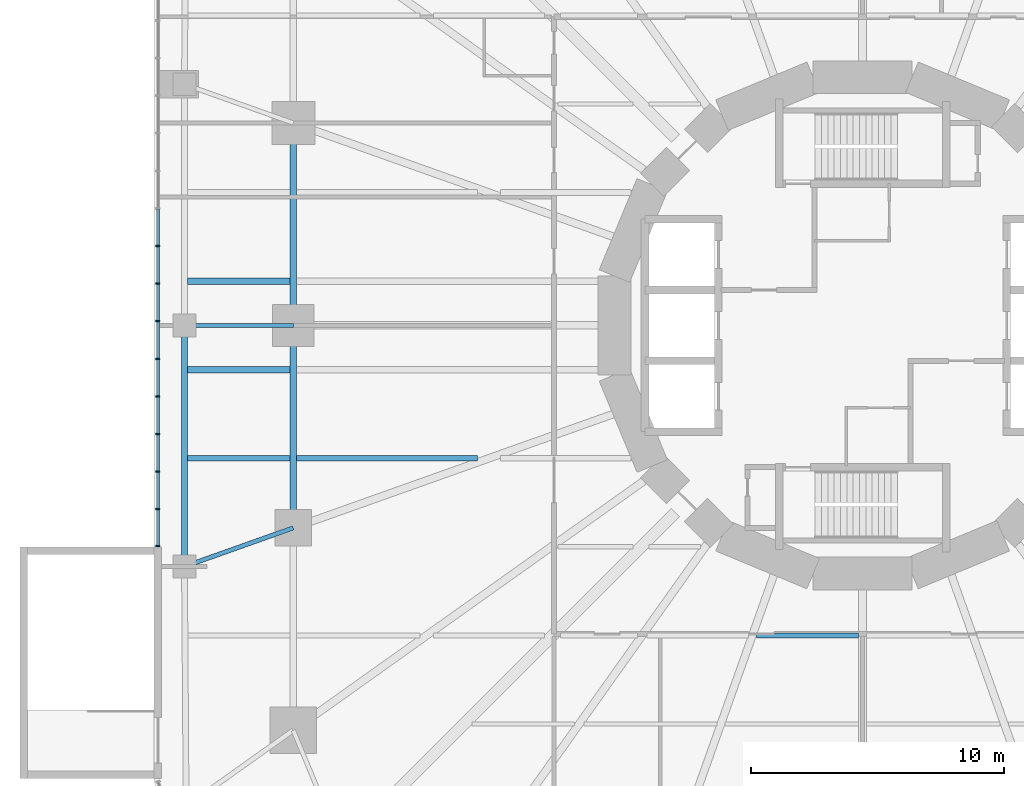
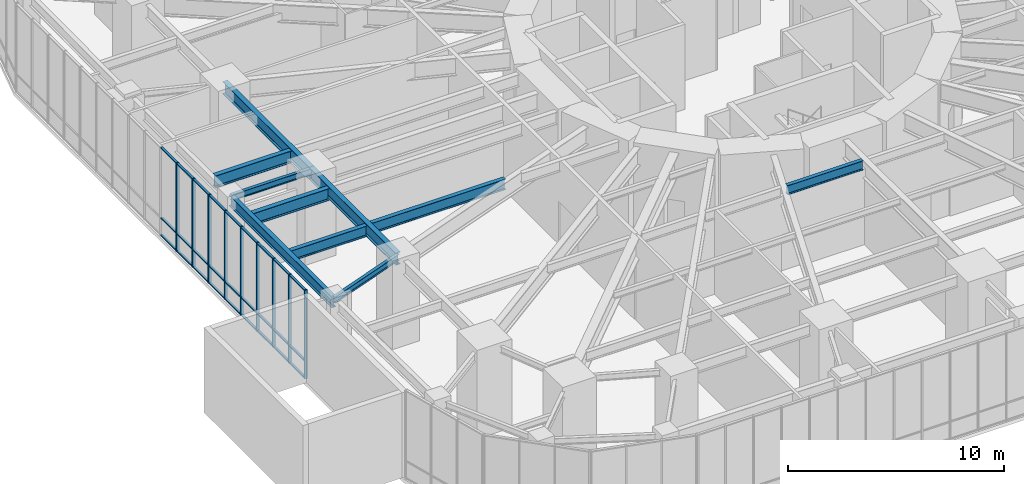
# One storey, part 4 of 24: 36 members, 10 beams, 1 element without a shape of its own.
"""IFC4 building model written with IfcOpenShell, lengths in metres."""

from ifc_helpers import new_model, si_unit, direction, frame, origin, origin_2d, place, context, subcontext, project, spatial, rectangle, i_section, extrude, material, material_profile, profile_set, type_object, element, aggregate, save


model = new_model("IFC4")

# Units and contexts
model_context = context("Model", 3, precision=1e-05, world=origin(), true_north=direction((0.0, 1.0)))
body_context = subcontext(model_context, "Body", "Model", "MODEL_VIEW")
ifc_project = project(units=[si_unit("LENGTHUNIT", "METRE"), si_unit("AREAUNIT", "SQUARE_METRE"), si_unit("VOLUMEUNIT", "CUBIC_METRE"), si_unit("PLANEANGLEUNIT", "RADIAN"), si_unit("MASSUNIT", "GRAM", prefix="KILO")], contexts=[model_context])

# Site, building, storey
site_placement = place(None, origin())
site = spatial("IfcSite", under=ifc_project, at=site_placement, CompositionType="ELEMENT")
building_placement = place(site_placement, origin())
building = spatial("IfcBuilding", under=site, at=building_placement, Name="Nakasero Lantern House", CompositionType="ELEMENT")
storey_placement = place(building_placement, frame((0.0, 0.0, 11.0)))
storey = spatial("IfcBuildingStorey", under=building, at=storey_placement, Name="L02", CompositionType="ELEMENT", Elevation=11.0)

# Beams
ifc_material_1 = material(Name="Steel S355", Category="steel")
ifc_material_profile_1 = material_profile(ifc_material_1, i_section(OverallWidth=0.208740234375, OverallDepth=0.5283203125, WebThickness=0.009521484375, FlangeThickness=0.01318359375, FilletRadius=0.0126953125, at=origin_2d()), Name="UB 533x210x82")
ifc_profile_set_1 = profile_set([ifc_material_profile_1], Name="Steel S355")
beam_type_1 = type_object("IfcBeamType", Name="Infill beam UB 533x210x82", PredefinedType="JOIST", material=ifc_profile_set_1)
beam_1_placement = place(storey_placement, frame((-4.1953125, -12.25, 4.535888671875), z_axis=(1.0, 0.0, 0.0), x_axis=(0.0, 1.0, 0.0)))
element("IfcBeam", 1, at=beam_1_placement, inside=storey, type_object=beam_type_1, Name="Infill beam L03 05.6", PredefinedType="JOIST", context=body_context, shape_type="SweptSolid", body=[
    extrude(i_section(OverallWidth=0.208740234375, OverallDepth=0.5283203125, WebThickness=0.009521484375, FlangeThickness=0.01318359375, FilletRadius=0.0126953125, at=origin_2d()), origin(), (0.0, 0.0, 1.0), 4.042724609375),
])
ifc_material_2 = material(Name="Steel S355", Category="steel")
ifc_material_profile_2 = material_profile(ifc_material_2, i_section(OverallWidth=0.2275390625, OverallDepth=0.6025390625, WebThickness=0.010498046875, FlangeThickness=0.014892578125, FilletRadius=0.0126953125, at=origin_2d()), Name="UB 610x229x101")
ifc_profile_set_2 = profile_set([ifc_material_profile_2], Name="Steel S355")
beam_type_2 = type_object("IfcBeamType", Name="Infill beam UB 610x229x101", PredefinedType="JOIST", material=ifc_profile_set_2)
beam_2_placement = place(storey_placement, frame((-26.685546875, -5.25, 4.44873046875), z_axis=(1.0, 0.0, 0.0), x_axis=(0.0, 1.0, 0.0)))
element("IfcBeam", 2, at=beam_2_placement, inside=storey, type_object=beam_type_2, Name="Infill beam L03 07.1", PredefinedType="JOIST", context=body_context, shape_type="SweptSolid", body=[
    extrude(i_section(OverallWidth=0.2275390625, OverallDepth=0.6025390625, WebThickness=0.010498046875, FlangeThickness=0.014892578125, FilletRadius=0.0126953125, at=origin_2d()), origin(), (0.0, 0.0, 1.0), 4.0576171875),
])
beam_3_placement = place(storey_placement, frame((-22.3720703125, -5.25, 4.498779296875), z_axis=(1.0, 0.0, 0.0), x_axis=(0.0, 1.0, 0.0)))
element("IfcBeam", 3, at=beam_3_placement, inside=storey, type_object=beam_type_2, Name="Infill beam L03 07.2", PredefinedType="JOIST", context=body_context, shape_type="SweptSolid", body=[
    extrude(i_section(OverallWidth=0.2275390625, OverallDepth=0.6025390625, WebThickness=0.010498046875, FlangeThickness=0.014892578125, FilletRadius=0.0126953125, at=origin_2d()), origin(), (0.0, 0.0, 1.0), 7.15869140625),
])
ifc_material_3 = material(Name="Steel S355", Category="steel")
ifc_material_profile_3 = material_profile(ifc_material_3, i_section(OverallWidth=0.253662109375, OverallDepth=0.68359375, WebThickness=0.012451171875, FlangeThickness=0.01904296875, FilletRadius=0.01513671875, at=origin_2d()), Name="UB 686x254x140")
ifc_profile_set_3 = profile_set([ifc_material_profile_3], Name="Steel S355")
beam_type_3 = type_object("IfcBeamType", Name="Infill beam UB 686x254x140", PredefinedType="JOIST", material=ifc_profile_set_3)
for number, where, z_axis, x_axis, name in (
    (4, (-26.685546875, -1.75, 4.408203125), (1.0, 0.0, 0.0), (0.0, 1.0, 0.0), "Infill beam L03 08.1"),
    (5, (-26.685546875, 1.75, 4.408203125), (1.0, 0.0, 0.0), (0.0, 1.0, 0.0), "Infill beam L03 09.1"),
):
    element("IfcBeam", number, at=place(storey_placement, frame(where, z_axis=z_axis, x_axis=x_axis)), inside=storey, type_object=beam_type_3, Name=name, PredefinedType="JOIST", context=body_context, shape_type="SweptSolid", body=[
        extrude(i_section(OverallWidth=0.253662109375, OverallDepth=0.68359375, WebThickness=0.012451171875, FlangeThickness=0.01904296875, FilletRadius=0.01513671875, at=origin_2d()), origin(), (0.0, 0.0, 1.0), 4.0576171875),
    ])

# Curtain wall, members
ifc_material_4 = material(Name="Aluminium 6063-T6 and glass", Category="aluminium")
curtain_wall_type = type_object("IfcCurtainWallType", Name="Podium curtain wall CW-2", PredefinedType="USERDEFINED", material=ifc_material_4)
curtain_wall_placement = place(storey_placement, origin())
curtain_wall = element("IfcCurtainWall", 6, at=curtain_wall_placement, inside=storey, type_object=curtain_wall_type, Name="Curtain wall CW-2 L02", ObjectType="STICK CURTAIN WALL", PredefinedType="USERDEFINED")
ifc_material_5 = material(Name="Aluminium 6063-T6", Category="aluminium")
ifc_material_profile_4 = material_profile(ifc_material_5, rectangle(XDim=0.06005859375, YDim=0.159912109375, at=origin_2d()), Name="CW-2 mullion 60x160")
ifc_profile_set_4 = profile_set([ifc_material_profile_4], Name="Aluminium 6063-T6")
member_type_1 = type_object("IfcMemberType", Name="Mullion CW-2", PredefinedType="MULLION", material=ifc_profile_set_4)
member_1_placement = place(storey_placement, frame((-27.85009765625, 3.138916015625, 0.0), z_axis=(0.0, 0.0, 1.0), x_axis=(0.0, -1.0, 0.0)))
member_1 = element("IfcMember", 7, at=member_1_placement, type_object=member_type_1, Name="CW-2 mullion 11", PredefinedType="MULLION", context=body_context, shape_type="SweptSolid", body=[
    extrude(rectangle(XDim=0.06005859375, YDim=0.159912109375, at=origin_2d()), origin(), (0.0, 0.0, 1.0), 5.0),
])
member_2_placement = place(storey_placement, frame((-27.85009765625, 1.65283203125, 0.0), z_axis=(0.0, 0.0, 1.0), x_axis=(0.0, -1.0, 0.0)))
member_2 = element("IfcMember", 8, at=member_2_placement, type_object=member_type_1, Name="CW-2 mullion 12", PredefinedType="MULLION", context=body_context, shape_type="SweptSolid", body=[
    extrude(rectangle(XDim=0.06005859375, YDim=0.159912109375, at=origin_2d()), origin(), (0.0, 0.0, 1.0), 5.0),
])
member_3_placement = place(storey_placement, frame((-27.85009765625, 0.166748046875, 0.0), z_axis=(0.0, 0.0, 1.0), x_axis=(0.0, -1.0, 0.0)))
member_3 = element("IfcMember", 9, at=member_3_placement, type_object=member_type_1, Name="CW-2 mullion 13", PredefinedType="MULLION", context=body_context, shape_type="SweptSolid", body=[
    extrude(rectangle(XDim=0.06005859375, YDim=0.159912109375, at=origin_2d()), origin(), (0.0, 0.0, 1.0), 5.0),
])
member_4_placement = place(storey_placement, frame((-27.85009765625, -1.3193359375, 0.0), z_axis=(0.0, 0.0, 1.0), x_axis=(0.0, -1.0, 0.0)))
member_4 = element("IfcMember", 10, at=member_4_placement, type_object=member_type_1, Name="CW-2 mullion 14", PredefinedType="MULLION", context=body_context, shape_type="SweptSolid", body=[
    extrude(rectangle(XDim=0.06005859375, YDim=0.159912109375, at=origin_2d()), origin(), (0.0, 0.0, 1.0), 5.0),
])
member_5_placement = place(storey_placement, frame((-27.85009765625, -2.8056640625, 0.0), z_axis=(0.0, 0.0, 1.0), x_axis=(0.0, -1.0, 0.0)))
member_5 = element("IfcMember", 11, at=member_5_placement, type_object=member_type_1, Name="CW-2 mullion 15", PredefinedType="MULLION", context=body_context, shape_type="SweptSolid", body=[
    extrude(rectangle(XDim=0.06005859375, YDim=0.159912109375, at=origin_2d()), origin(), (0.0, 0.0, 1.0), 5.0),
])
member_6_placement = place(storey_placement, frame((-27.85009765625, -4.291748046875, 0.0), z_axis=(0.0, 0.0, 1.0), x_axis=(0.0, -1.0, 0.0)))
member_6 = element("IfcMember", 12, at=member_6_placement, type_object=member_type_1, Name="CW-2 mullion 16", PredefinedType="MULLION", context=body_context, shape_type="SweptSolid", body=[
    extrude(rectangle(XDim=0.06005859375, YDim=0.159912109375, at=origin_2d()), origin(), (0.0, 0.0, 1.0), 5.0),
])
member_7_placement = place(storey_placement, frame((-27.85009765625, -5.77783203125, 0.0), z_axis=(0.0, 0.0, 1.0), x_axis=(0.0, -1.0, 0.0)))
member_7 = element("IfcMember", 13, at=member_7_placement, type_object=member_type_1, Name="CW-2 mullion 17", PredefinedType="MULLION", context=body_context, shape_type="SweptSolid", body=[
    extrude(rectangle(XDim=0.06005859375, YDim=0.159912109375, at=origin_2d()), origin(), (0.0, 0.0, 1.0), 5.0),
])
member_8_placement = place(storey_placement, frame((-27.85009765625, -7.263916015625, 0.0), z_axis=(0.0, 0.0, 1.0), x_axis=(0.0, -1.0, 0.0)))
member_8 = element("IfcMember", 14, at=member_8_placement, type_object=member_type_1, Name="CW-2 mullion 18", PredefinedType="MULLION", context=body_context, shape_type="SweptSolid", body=[
    extrude(rectangle(XDim=0.06005859375, YDim=0.159912109375, at=origin_2d()), origin(), (0.0, 0.0, 1.0), 5.0),
])
member_9_placement = place(storey_placement, frame((-27.85009765625, -8.719970703125, 0.0), z_axis=(0.0, 0.0, 1.0), x_axis=(0.0, -1.0, 0.0)))
member_9 = element("IfcMember", 15, at=member_9_placement, type_object=member_type_1, Name="CW-2 mullion 19", PredefinedType="MULLION", context=body_context, shape_type="SweptSolid", body=[
    extrude(rectangle(XDim=0.06005859375, YDim=0.159912109375, at=origin_2d()), origin(), (0.0, 0.0, 1.0), 5.0),
])

# Beams
ifc_material_6 = material(Name="Steel S355", Category="steel")
ifc_material_profile_5 = material_profile(ifc_material_6, i_section(OverallWidth=0.17138671875, OverallDepth=0.35498046875, WebThickness=0.00732421875, FlangeThickness=0.011474609375, FilletRadius=0.01025390625, at=origin_2d()), Name="UB 356x171x51")
ifc_profile_set_5 = profile_set([ifc_material_profile_5], Name="Steel S355")
beam_type_4 = type_object("IfcBeamType", Name="Primary beam UB 356x171x51, span to 6 m", PredefinedType="BEAM", material=ifc_profile_set_5)
beam_4_placement = place(storey_placement, frame((-26.800048828125, 0.0, 4.572509765625), z_axis=(1.0, 0.0, 0.0), x_axis=(0.0, 1.0, 0.0)))
element("IfcBeam", 16, at=beam_4_placement, inside=storey, type_object=beam_type_4, Name="Primary beam L03 POD-C15", PredefinedType="BEAM", context=body_context, shape_type="SweptSolid", body=[
    extrude(i_section(OverallWidth=0.17138671875, OverallDepth=0.35498046875, WebThickness=0.00732421875, FlangeThickness=0.011474609375, FilletRadius=0.01025390625, at=origin_2d()), origin(), (0.0, 0.0, 1.0), 4.300048828125),
])
beam_5_placement = place(storey_placement, frame((-26.800048828125, -9.52880859375, 4.572509765625), z_axis=(0.942221444489, 0.334990670833, 0.0), x_axis=(-0.334990670833, 0.942221444489, 0.0)))
element("IfcBeam", 17, at=beam_5_placement, inside=storey, type_object=beam_type_4, Name="Primary beam L03 POD-C16", PredefinedType="BEAM", context=body_context, shape_type="SweptSolid", body=[
    extrude(i_section(OverallWidth=0.17138671875, OverallDepth=0.35498046875, WebThickness=0.00732421875, FlangeThickness=0.011474609375, FilletRadius=0.01025390625, at=origin_2d()), origin(), (0.0, 0.0, 1.0), 4.563720703125),
])
ifc_material_7 = material(Name="Steel S355", Category="steel")
ifc_material_profile_6 = material_profile(ifc_material_7, i_section(OverallWidth=0.22900390625, OverallDepth=0.6123046875, WebThickness=0.011962890625, FlangeThickness=0.01953125, FilletRadius=0.0126953125, at=origin_2d()), Name="UB 610x229x125")
ifc_profile_set_6 = profile_set([ifc_material_profile_6], Name="Steel S355")
beam_type_5 = type_object("IfcBeamType", Name="Ring beam UB 610x229x125", PredefinedType="BEAM", material=ifc_profile_set_6)
beam_6_placement = place(storey_placement, frame((-26.800048828125, 0.0, 4.44384765625), z_axis=(0.0, -1.0, 0.0), x_axis=(1.0, 0.0, 0.0)))
element("IfcBeam", 18, at=beam_6_placement, inside=storey, type_object=beam_type_5, Name="Ring beam L03 POD-C15", PredefinedType="BEAM", context=body_context, shape_type="SweptSolid", body=[
    extrude(i_section(OverallWidth=0.22900390625, OverallDepth=0.6123046875, WebThickness=0.011962890625, FlangeThickness=0.01953125, FilletRadius=0.0126953125, at=origin_2d()), origin(), (0.0, 0.0, 1.0), 9.52880859375),
])
ifc_material_8 = material(Name="Steel S355", Category="steel")
ifc_material_profile_7 = material_profile(ifc_material_8, i_section(OverallWidth=0.255859375, OverallDepth=0.69287109375, WebThickness=0.014404296875, FlangeThickness=0.023681640625, FilletRadius=0.01513671875, at=origin_2d()), Name="UB 686x254x170")
ifc_profile_set_7 = profile_set([ifc_material_profile_7], Name="Steel S355")
beam_type_6 = type_object("IfcBeamType", Name="Ring beam UB 686x254x170", PredefinedType="BEAM", material=ifc_profile_set_7)
for number, where, z_axis, x_axis, name in (
    (19, (-22.5, 8.0, 4.45361328125), (0.0, -1.0, 0.0), (1.0, 0.0, 0.0), "Ring beam L03 B1-C14"),
    (20, (-22.5, 0.0, 4.45361328125), (0.0, -1.0, 0.0), (1.0, 0.0, 0.0), "Ring beam L03 B1-C15"),
):
    element("IfcBeam", number, at=place(storey_placement, frame(where, z_axis=z_axis, x_axis=x_axis)), inside=storey, type_object=beam_type_6, Name=name, PredefinedType="BEAM", context=body_context, shape_type="SweptSolid", body=[
        extrude(i_section(OverallWidth=0.255859375, OverallDepth=0.69287109375, WebThickness=0.014404296875, FlangeThickness=0.023681640625, FilletRadius=0.01513671875, at=origin_2d()), origin(), (0.0, 0.0, 1.0), 8.0),
    ])

# Member
ifc_material_9 = material(Name="Aluminium 6063-T6", Category="aluminium")
ifc_material_profile_8 = material_profile(ifc_material_9, rectangle(XDim=0.06005859375, YDim=0.1201171875, at=origin_2d()), Name="CW-2 transom 60x120")
ifc_profile_set_8 = profile_set([ifc_material_profile_8], Name="Aluminium 6063-T6")
member_type_2 = type_object("IfcMemberType", Name="Transom CW-2", PredefinedType="USERDEFINED", material=ifc_profile_set_8)
member_10_placement = place(storey_placement, frame((-27.85009765625, 4.594970703125, 0.030029296875), z_axis=(0.0, -1.0, 0.0), x_axis=(0.0, 0.0, 1.0)))
member_10 = element("IfcMember", 21, at=member_10_placement, type_object=member_type_2, Name="CW-2 transom 10.1", ObjectType="TRANSOM", PredefinedType="USERDEFINED", context=body_context, shape_type="SweptSolid", body=[
    extrude(rectangle(XDim=0.06005859375, YDim=0.1201171875, at=origin_2d()), origin(), (0.0, 0.0, 1.0), 1.426025390625),
])

member_11_placement = place(storey_placement, frame((-27.85009765625, 4.594970703125, 1.0), z_axis=(0.0, -1.0, 0.0), x_axis=(0.0, 0.0, 1.0)))
member_11 = element("IfcMember", 22, at=member_11_placement, type_object=member_type_2, Name="CW-2 transom 10.2", ObjectType="TRANSOM", PredefinedType="USERDEFINED", context=body_context, shape_type="SweptSolid", body=[
    extrude(rectangle(XDim=0.06005859375, YDim=0.1201171875, at=origin_2d()), origin(), (0.0, 0.0, 1.0), 1.426025390625),
])

member_12_placement = place(storey_placement, frame((-27.85009765625, 4.594970703125, 4.969970703125), z_axis=(0.0, -1.0, 0.0), x_axis=(0.0, 0.0, 1.0)))
member_12 = element("IfcMember", 23, at=member_12_placement, type_object=member_type_2, Name="CW-2 transom 10.3", ObjectType="TRANSOM", PredefinedType="USERDEFINED", context=body_context, shape_type="SweptSolid", body=[
    extrude(rectangle(XDim=0.06005859375, YDim=0.1201171875, at=origin_2d()), origin(), (0.0, 0.0, 1.0), 1.426025390625),
])

member_13_placement = place(storey_placement, frame((-27.85009765625, 3.10888671875, 0.030029296875), z_axis=(0.0, -1.0, 0.0), x_axis=(0.0, 0.0, 1.0)))
member_13 = element("IfcMember", 24, at=member_13_placement, type_object=member_type_2, Name="CW-2 transom 11.1", ObjectType="TRANSOM", PredefinedType="USERDEFINED", context=body_context, shape_type="SweptSolid", body=[
    extrude(rectangle(XDim=0.06005859375, YDim=0.1201171875, at=origin_2d()), origin(), (0.0, 0.0, 1.0), 1.426025390625),
])

member_14_placement = place(storey_placement, frame((-27.85009765625, 3.10888671875, 1.0), z_axis=(0.0, -1.0, 0.0), x_axis=(0.0, 0.0, 1.0)))
member_14 = element("IfcMember", 25, at=member_14_placement, type_object=member_type_2, Name="CW-2 transom 11.2", ObjectType="TRANSOM", PredefinedType="USERDEFINED", context=body_context, shape_type="SweptSolid", body=[
    extrude(rectangle(XDim=0.06005859375, YDim=0.1201171875, at=origin_2d()), origin(), (0.0, 0.0, 1.0), 1.426025390625),
])

member_15_placement = place(storey_placement, frame((-27.85009765625, 3.10888671875, 4.969970703125), z_axis=(0.0, -1.0, 0.0), x_axis=(0.0, 0.0, 1.0)))
member_15 = element("IfcMember", 26, at=member_15_placement, type_object=member_type_2, Name="CW-2 transom 11.3", ObjectType="TRANSOM", PredefinedType="USERDEFINED", context=body_context, shape_type="SweptSolid", body=[
    extrude(rectangle(XDim=0.06005859375, YDim=0.1201171875, at=origin_2d()), origin(), (0.0, 0.0, 1.0), 1.426025390625),
])

member_16_placement = place(storey_placement, frame((-27.85009765625, 1.622802734375, 0.030029296875), z_axis=(0.0, -1.0, 0.0), x_axis=(0.0, 0.0, 1.0)))
member_16 = element("IfcMember", 27, at=member_16_placement, type_object=member_type_2, Name="CW-2 transom 12.1", ObjectType="TRANSOM", PredefinedType="USERDEFINED", context=body_context, shape_type="SweptSolid", body=[
    extrude(rectangle(XDim=0.06005859375, YDim=0.1201171875, at=origin_2d()), origin(), (0.0, 0.0, 1.0), 1.426025390625),
])

member_17_placement = place(storey_placement, frame((-27.85009765625, 1.622802734375, 1.0), z_axis=(0.0, -1.0, 0.0), x_axis=(0.0, 0.0, 1.0)))
member_17 = element("IfcMember", 28, at=member_17_placement, type_object=member_type_2, Name="CW-2 transom 12.2", ObjectType="TRANSOM", PredefinedType="USERDEFINED", context=body_context, shape_type="SweptSolid", body=[
    extrude(rectangle(XDim=0.06005859375, YDim=0.1201171875, at=origin_2d()), origin(), (0.0, 0.0, 1.0), 1.426025390625),
])

member_18_placement = place(storey_placement, frame((-27.85009765625, 1.622802734375, 4.969970703125), z_axis=(0.0, -1.0, 0.0), x_axis=(0.0, 0.0, 1.0)))
member_18 = element("IfcMember", 29, at=member_18_placement, type_object=member_type_2, Name="CW-2 transom 12.3", ObjectType="TRANSOM", PredefinedType="USERDEFINED", context=body_context, shape_type="SweptSolid", body=[
    extrude(rectangle(XDim=0.06005859375, YDim=0.1201171875, at=origin_2d()), origin(), (0.0, 0.0, 1.0), 1.426025390625),
])

member_19_placement = place(storey_placement, frame((-27.85009765625, 0.13671875, 0.030029296875), z_axis=(0.0, -1.0, 0.0), x_axis=(0.0, 0.0, 1.0)))
member_19 = element("IfcMember", 30, at=member_19_placement, type_object=member_type_2, Name="CW-2 transom 13.1", ObjectType="TRANSOM", PredefinedType="USERDEFINED", context=body_context, shape_type="SweptSolid", body=[
    extrude(rectangle(XDim=0.06005859375, YDim=0.1201171875, at=origin_2d()), origin(), (0.0, 0.0, 1.0), 1.42626953125),
])

member_20_placement = place(storey_placement, frame((-27.85009765625, 0.13671875, 1.0), z_axis=(0.0, -1.0, 0.0), x_axis=(0.0, 0.0, 1.0)))
member_20 = element("IfcMember", 31, at=member_20_placement, type_object=member_type_2, Name="CW-2 transom 13.2", ObjectType="TRANSOM", PredefinedType="USERDEFINED", context=body_context, shape_type="SweptSolid", body=[
    extrude(rectangle(XDim=0.06005859375, YDim=0.1201171875, at=origin_2d()), origin(), (0.0, 0.0, 1.0), 1.42626953125),
])

member_21_placement = place(storey_placement, frame((-27.85009765625, 0.13671875, 4.969970703125), z_axis=(0.0, -1.0, 0.0), x_axis=(0.0, 0.0, 1.0)))
member_21 = element("IfcMember", 32, at=member_21_placement, type_object=member_type_2, Name="CW-2 transom 13.3", ObjectType="TRANSOM", PredefinedType="USERDEFINED", context=body_context, shape_type="SweptSolid", body=[
    extrude(rectangle(XDim=0.06005859375, YDim=0.1201171875, at=origin_2d()), origin(), (0.0, 0.0, 1.0), 1.42626953125),
])

member_22_placement = place(storey_placement, frame((-27.85009765625, -1.349365234375, 0.030029296875), z_axis=(0.0, -1.0, 0.0), x_axis=(0.0, 0.0, 1.0)))
member_22 = element("IfcMember", 33, at=member_22_placement, type_object=member_type_2, Name="CW-2 transom 14.1", ObjectType="TRANSOM", PredefinedType="USERDEFINED", context=body_context, shape_type="SweptSolid", body=[
    extrude(rectangle(XDim=0.06005859375, YDim=0.1201171875, at=origin_2d()), origin(), (0.0, 0.0, 1.0), 1.42626953125),
])

member_23_placement = place(storey_placement, frame((-27.85009765625, -1.349365234375, 1.0), z_axis=(0.0, -1.0, 0.0), x_axis=(0.0, 0.0, 1.0)))
member_23 = element("IfcMember", 34, at=member_23_placement, type_object=member_type_2, Name="CW-2 transom 14.2", ObjectType="TRANSOM", PredefinedType="USERDEFINED", context=body_context, shape_type="SweptSolid", body=[
    extrude(rectangle(XDim=0.06005859375, YDim=0.1201171875, at=origin_2d()), origin(), (0.0, 0.0, 1.0), 1.42626953125),
])

member_24_placement = place(storey_placement, frame((-27.85009765625, -1.349365234375, 4.969970703125), z_axis=(0.0, -1.0, 0.0), x_axis=(0.0, 0.0, 1.0)))
member_24 = element("IfcMember", 35, at=member_24_placement, type_object=member_type_2, Name="CW-2 transom 14.3", ObjectType="TRANSOM", PredefinedType="USERDEFINED", context=body_context, shape_type="SweptSolid", body=[
    extrude(rectangle(XDim=0.06005859375, YDim=0.1201171875, at=origin_2d()), origin(), (0.0, 0.0, 1.0), 1.42626953125),
])

member_25_placement = place(storey_placement, frame((-27.85009765625, -2.83544921875, 0.030029296875), z_axis=(0.0, -1.0, 0.0), x_axis=(0.0, 0.0, 1.0)))
member_25 = element("IfcMember", 36, at=member_25_placement, type_object=member_type_2, Name="CW-2 transom 15.1", ObjectType="TRANSOM", PredefinedType="USERDEFINED", context=body_context, shape_type="SweptSolid", body=[
    extrude(rectangle(XDim=0.06005859375, YDim=0.1201171875, at=origin_2d()), origin(), (0.0, 0.0, 1.0), 1.42626953125),
])

member_26_placement = place(storey_placement, frame((-27.85009765625, -2.83544921875, 1.0), z_axis=(0.0, -1.0, 0.0), x_axis=(0.0, 0.0, 1.0)))
member_26 = element("IfcMember", 37, at=member_26_placement, type_object=member_type_2, Name="CW-2 transom 15.2", ObjectType="TRANSOM", PredefinedType="USERDEFINED", context=body_context, shape_type="SweptSolid", body=[
    extrude(rectangle(XDim=0.06005859375, YDim=0.1201171875, at=origin_2d()), origin(), (0.0, 0.0, 1.0), 1.42626953125),
])

member_27_placement = place(storey_placement, frame((-27.85009765625, -2.83544921875, 4.969970703125), z_axis=(0.0, -1.0, 0.0), x_axis=(0.0, 0.0, 1.0)))
member_27 = element("IfcMember", 38, at=member_27_placement, type_object=member_type_2, Name="CW-2 transom 15.3", ObjectType="TRANSOM", PredefinedType="USERDEFINED", context=body_context, shape_type="SweptSolid", body=[
    extrude(rectangle(XDim=0.06005859375, YDim=0.1201171875, at=origin_2d()), origin(), (0.0, 0.0, 1.0), 1.42626953125),
])

member_28_placement = place(storey_placement, frame((-27.85009765625, -4.32177734375, 0.030029296875), z_axis=(0.0, -1.0, 0.0), x_axis=(0.0, 0.0, 1.0)))
member_28 = element("IfcMember", 39, at=member_28_placement, type_object=member_type_2, Name="CW-2 transom 16.1", ObjectType="TRANSOM", PredefinedType="USERDEFINED", context=body_context, shape_type="SweptSolid", body=[
    extrude(rectangle(XDim=0.06005859375, YDim=0.1201171875, at=origin_2d()), origin(), (0.0, 0.0, 1.0), 1.426025390625),
])

member_29_placement = place(storey_placement, frame((-27.85009765625, -4.32177734375, 1.0), z_axis=(0.0, -1.0, 0.0), x_axis=(0.0, 0.0, 1.0)))
member_29 = element("IfcMember", 40, at=member_29_placement, type_object=member_type_2, Name="CW-2 transom 16.2", ObjectType="TRANSOM", PredefinedType="USERDEFINED", context=body_context, shape_type="SweptSolid", body=[
    extrude(rectangle(XDim=0.06005859375, YDim=0.1201171875, at=origin_2d()), origin(), (0.0, 0.0, 1.0), 1.426025390625),
])

member_30_placement = place(storey_placement, frame((-27.85009765625, -4.32177734375, 4.969970703125), z_axis=(0.0, -1.0, 0.0), x_axis=(0.0, 0.0, 1.0)))
member_30 = element("IfcMember", 41, at=member_30_placement, type_object=member_type_2, Name="CW-2 transom 16.3", ObjectType="TRANSOM", PredefinedType="USERDEFINED", context=body_context, shape_type="SweptSolid", body=[
    extrude(rectangle(XDim=0.06005859375, YDim=0.1201171875, at=origin_2d()), origin(), (0.0, 0.0, 1.0), 1.426025390625),
])

member_31_placement = place(storey_placement, frame((-27.85009765625, -5.807861328125, 0.030029296875), z_axis=(0.0, -1.0, 0.0), x_axis=(0.0, 0.0, 1.0)))
member_31 = element("IfcMember", 42, at=member_31_placement, type_object=member_type_2, Name="CW-2 transom 17.1", ObjectType="TRANSOM", PredefinedType="USERDEFINED", context=body_context, shape_type="SweptSolid", body=[
    extrude(rectangle(XDim=0.06005859375, YDim=0.1201171875, at=origin_2d()), origin(), (0.0, 0.0, 1.0), 1.426025390625),
])

member_32_placement = place(storey_placement, frame((-27.85009765625, -5.807861328125, 1.0), z_axis=(0.0, -1.0, 0.0), x_axis=(0.0, 0.0, 1.0)))
member_32 = element("IfcMember", 43, at=member_32_placement, type_object=member_type_2, Name="CW-2 transom 17.2", ObjectType="TRANSOM", PredefinedType="USERDEFINED", context=body_context, shape_type="SweptSolid", body=[
    extrude(rectangle(XDim=0.06005859375, YDim=0.1201171875, at=origin_2d()), origin(), (0.0, 0.0, 1.0), 1.426025390625),
])

member_33_placement = place(storey_placement, frame((-27.85009765625, -5.807861328125, 4.969970703125), z_axis=(0.0, -1.0, 0.0), x_axis=(0.0, 0.0, 1.0)))
member_33 = element("IfcMember", 44, at=member_33_placement, type_object=member_type_2, Name="CW-2 transom 17.3", ObjectType="TRANSOM", PredefinedType="USERDEFINED", context=body_context, shape_type="SweptSolid", body=[
    extrude(rectangle(XDim=0.06005859375, YDim=0.1201171875, at=origin_2d()), origin(), (0.0, 0.0, 1.0), 1.426025390625),
])

member_34_placement = place(storey_placement, frame((-27.85009765625, -7.2939453125, 0.030029296875), z_axis=(0.0, -1.0, 0.0), x_axis=(0.0, 0.0, 1.0)))
member_34 = element("IfcMember", 45, at=member_34_placement, type_object=member_type_2, Name="CW-2 transom 18.1", ObjectType="TRANSOM", PredefinedType="USERDEFINED", context=body_context, shape_type="SweptSolid", body=[
    extrude(rectangle(XDim=0.06005859375, YDim=0.1201171875, at=origin_2d()), origin(), (0.0, 0.0, 1.0), 1.39599609375),
])

member_35_placement = place(storey_placement, frame((-27.85009765625, -7.2939453125, 1.0), z_axis=(0.0, -1.0, 0.0), x_axis=(0.0, 0.0, 1.0)))
member_35 = element("IfcMember", 46, at=member_35_placement, type_object=member_type_2, Name="CW-2 transom 18.2", ObjectType="TRANSOM", PredefinedType="USERDEFINED", context=body_context, shape_type="SweptSolid", body=[
    extrude(rectangle(XDim=0.06005859375, YDim=0.1201171875, at=origin_2d()), origin(), (0.0, 0.0, 1.0), 1.39599609375),
])

member_36_placement = place(storey_placement, frame((-27.85009765625, -7.2939453125, 4.969970703125), z_axis=(0.0, -1.0, 0.0), x_axis=(0.0, 0.0, 1.0)))
member_36 = element("IfcMember", 47, at=member_36_placement, type_object=member_type_2, Name="CW-2 transom 18.3", ObjectType="TRANSOM", PredefinedType="USERDEFINED", context=body_context, shape_type="SweptSolid", body=[
    extrude(rectangle(XDim=0.06005859375, YDim=0.1201171875, at=origin_2d()), origin(), (0.0, 0.0, 1.0), 1.39599609375),
])

aggregate(curtain_wall, [member_1, member_2, member_3, member_4, member_5, member_6, member_7, member_8, member_9, member_10, member_11, member_12, member_13, member_14, member_15, member_16, member_17, member_18, member_19, member_20, member_21, member_22, member_23, member_24, member_25, member_26, member_27, member_28, member_29, member_30, member_31, member_32, member_33, member_34, member_35, member_36])

save(model, "model.ifc")
